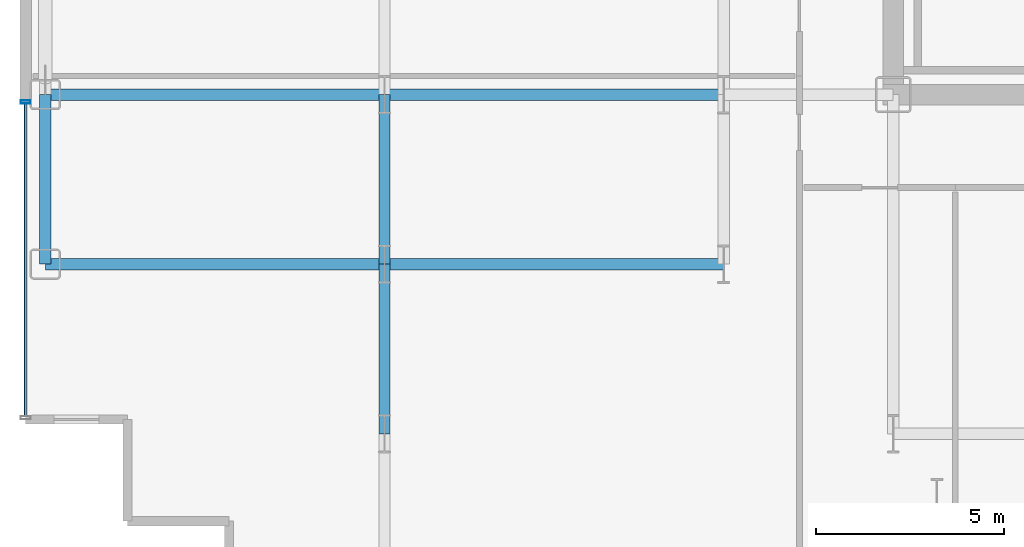
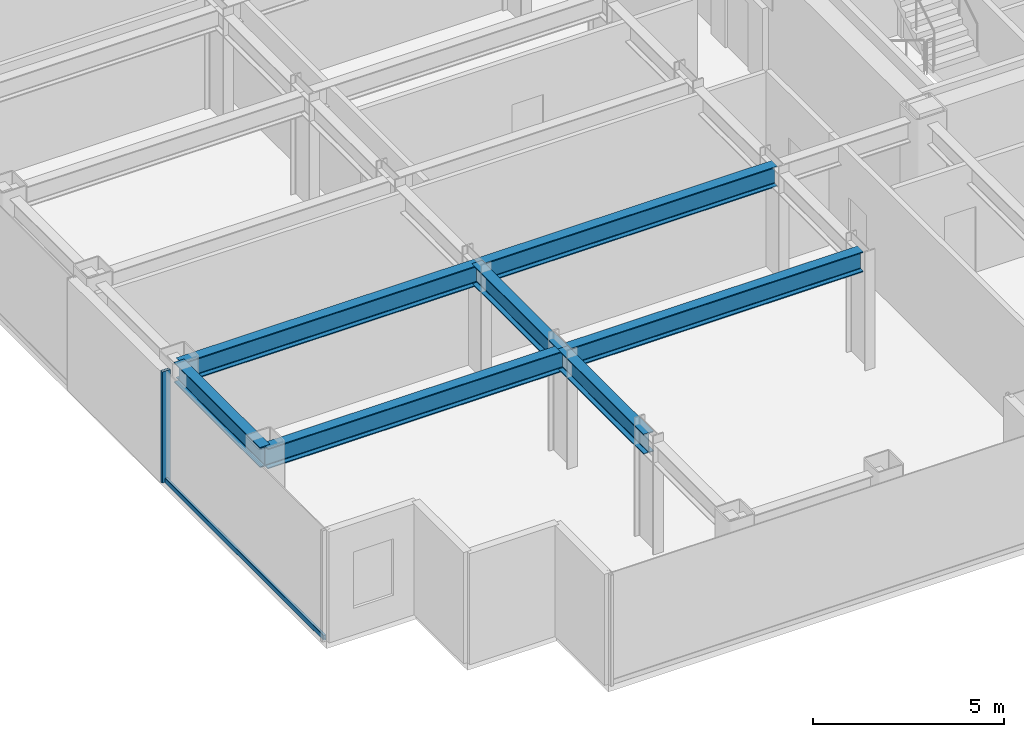
# One storey, part 3 of 29: 7 beams, 2 members, 1 element without a shape of its own.
"""IFC4 building model written with IfcOpenShell, lengths in metres."""

from ifc_helpers import new_model, si_unit, direction, frame, origin, origin_2d, place, context, subcontext, project, spatial, hollow_rectangle, i_section, extrude, source, transform, mapped, material, layer, layer_set, material_profile, profile_set, type_object, element, aggregate, save


model = new_model("IFC4")

# Units and contexts
model_context = context("Model", 3, precision=1e-05, world=origin(), true_north=direction((0.0, 1.0)))
body_context = subcontext(model_context, "Body", "Model", "MODEL_VIEW")
ifc_project = project(units=[si_unit("LENGTHUNIT", "METRE"), si_unit("AREAUNIT", "SQUARE_METRE"), si_unit("VOLUMEUNIT", "CUBIC_METRE"), si_unit("PLANEANGLEUNIT", "RADIAN"), si_unit("MASSUNIT", "GRAM", prefix="KILO")], contexts=[model_context])

# Site, building, storey
site_placement = place(None, origin())
site = spatial("IfcSite", under=ifc_project, at=site_placement, CompositionType="ELEMENT")
building_placement = place(site_placement, origin())
building = spatial("IfcBuilding", under=site, at=building_placement, Name="Nefas-Gora Pilgrimage Tower", CompositionType="ELEMENT")
storey_placement = place(building_placement, frame((0.0, 0.0, 113.60009765625)))
storey = spatial("IfcBuildingStorey", under=building, at=storey_placement, Name="L27", CompositionType="ELEMENT", Elevation=113.60009765625)

# Beams
ifc_material_1 = material(Name="Steel S355", Category="steel")
ifc_material_profile_1 = material_profile(ifc_material_1, i_section(OverallWidth=0.300048828125, OverallDepth=0.64990234375, WebThickness=0.01611328125, FlangeThickness=0.031005859375, FilletRadius=0.027099609375, at=origin_2d()), Name="HEB 650")
ifc_profile_set_1 = profile_set([ifc_material_profile_1], Name="Steel S355")
beam_type_1 = type_object("IfcBeamType", Name="BM-SPN-HEB500", PredefinedType="SPANDREL", material=ifc_profile_set_1)
shared_shape_1 = source(origin(), body_context, "Body", "SweptSolid", [
    extrude(i_section(OverallWidth=0.300048828125, OverallDepth=0.64990234375, WebThickness=0.01611328125, FlangeThickness=0.031005859375, FilletRadius=0.027099609375, at=origin_2d()), origin(), (0.0, 0.0, 1.0), 4.5),
])
beam_placement = place(storey_placement, frame((-33.75, -13.5, 3.224853515625), z_axis=(0.0, 1.0, 0.0), x_axis=(-1.0, 0.0, 0.0)))
element("IfcBeam", 1, at=beam_placement, inside=storey, type_object=beam_type_1, Name="L27 SP-02 beam", PredefinedType="SPANDREL", context=body_context, shape_type="MappedRepresentation", body=[
    mapped(shared_shape_1, transform((0.0, 0.0, 0.0), x_axis=(1.0, 0.0, 0.0), y_axis=(0.0, 1.0, 0.0), z_axis=(0.0, 0.0, 1.0), scale=1.0)),
])
ifc_material_profile_2 = material_profile(ifc_material_1, i_section(OverallWidth=0.300048828125, OverallDepth=0.64990234375, WebThickness=0.01611328125, FlangeThickness=0.031005859375, FilletRadius=0.027099609375, at=origin_2d()), Name="HEB 650")
ifc_profile_set_2 = profile_set([ifc_material_profile_2], Name="Steel S355")
beam_type_2 = type_object("IfcBeamType", Name="BM-GIR-HEB650", PredefinedType="BEAM", material=ifc_profile_set_2)
shared_shape_2 = source(origin(), body_context, "Body", "SweptSolid", [
    extrude(i_section(OverallWidth=0.300048828125, OverallDepth=0.64990234375, WebThickness=0.01611328125, FlangeThickness=0.031005859375, FilletRadius=0.027099609375, at=origin_2d()), origin(), (0.0, 0.0, 1.0), 9.0),
])
for number, where, z_axis, x_axis, name in (
    (2, (-33.75, -13.5, 3.224853515625), (1.0, 0.0, 0.0), (0.0, 1.0, 0.0), "L27 G-03 beam"),
    (3, (-33.75, -9.0, 3.224853515625), (1.0, 0.0, 0.0), (0.0, 1.0, 0.0), "L27 G-03 beam"),
    (4, (-24.75, -13.5, 3.224853515625), (1.0, 0.0, 0.0), (0.0, 1.0, 0.0), "L27 G-03 beam"),
    (5, (-24.75, -9.0, 3.224853515625), (1.0, 0.0, 0.0), (0.0, 1.0, 0.0), "L27 G-03 beam"),
):
    element("IfcBeam", number, at=place(storey_placement, frame(where, z_axis=z_axis, x_axis=x_axis)), inside=storey, type_object=beam_type_2, Name=name, PredefinedType="BEAM", context=body_context, shape_type="MappedRepresentation", body=[
        mapped(shared_shape_2, transform((0.0, 0.0, 0.0), x_axis=(1.0, 0.0, 0.0), y_axis=(0.0, 1.0, 0.0), z_axis=(0.0, 0.0, 1.0), scale=1.0)),
    ])
shared_shape_3 = source(origin(), body_context, "Body", "SweptSolid", [
    extrude(i_section(OverallWidth=0.300048828125, OverallDepth=0.64990234375, WebThickness=0.01611328125, FlangeThickness=0.031005859375, FilletRadius=0.027099609375, at=origin_2d()), origin(), (0.0, 0.0, 1.0), 4.5),
])
for number, where, z_axis, x_axis, name in (
    (6, (-24.75, -18.0, 3.224853515625), (0.0, 1.0, 0.0), (-1.0, 0.0, 0.0), "L27 G-03 beam"),
    (7, (-24.75, -13.5, 3.224853515625), (0.0, 1.0, 0.0), (-1.0, 0.0, 0.0), "L27 G-03 beam"),
):
    element("IfcBeam", number, at=place(storey_placement, frame(where, z_axis=z_axis, x_axis=x_axis)), inside=storey, type_object=beam_type_2, Name=name, PredefinedType="BEAM", context=body_context, shape_type="MappedRepresentation", body=[
        mapped(shared_shape_3, transform((0.0, 0.0, 0.0), x_axis=(1.0, 0.0, 0.0), y_axis=(0.0, 1.0, 0.0), z_axis=(0.0, 0.0, 1.0), scale=1.0)),
    ])

# Curtain wall, members
ifc_material_2 = material(Name="Dark ceramic-fritted solar-control aluminium-glass curtain wall", Category="aluminium")
ifc_layer = layer(ifc_material_2, 0.219970703125)
ifc_layer_set = layer_set([ifc_layer], Name="Dark ceramic-fritted solar-control aluminium-glass curtain wall")
curtain_wall_type = type_object("IfcCurtainWallType", Name="CW-SYS-2", PredefinedType="NOTDEFINED", material=ifc_layer_set)
curtain_wall_placement = place(storey_placement, origin())
curtain_wall = element("IfcCurtainWall", 8, at=curtain_wall_placement, inside=storey, type_object=curtain_wall_type, Name="L27 Unitised Curtain Wall CW2", PredefinedType="NOTDEFINED")
ifc_material_3 = material(Name="Anodised architectural aluminium", Category="aluminium")
ifc_material_profile_3 = material_profile(ifc_material_3, hollow_rectangle(XDim=0.080078125, YDim=0.159912109375, WallThickness=0.00439453125, InnerFilletRadius=0.00439453125, OuterFilletRadius=0.009033203125, at=origin_2d()), Name="ALU TRANSOM 80x160")
ifc_profile_set_3 = profile_set([ifc_material_profile_3], Name="Anodised architectural aluminium")
member_type_1 = type_object("IfcMemberType", Name="CWM-TRN-2", PredefinedType="USERDEFINED", material=ifc_profile_set_3)
shared_shape_4 = source(origin(), body_context, "Body", "SweptSolid", [
    extrude(hollow_rectangle(XDim=0.080078125, YDim=0.159912109375, WallThickness=0.00439453125, InnerFilletRadius=0.00439453125, OuterFilletRadius=0.009033203125, at=origin_2d()), origin(), (0.0, 0.0, 1.0), 8.2900390625),
])
member_1_placement = place(storey_placement, frame((-34.27001953125, -9.239990234375, 0.0498046875), z_axis=(0.0, -1.0, 0.0), x_axis=(1.0, 0.0, 0.0)))
member_1 = element("IfcMember", 9, at=member_1_placement, type_object=member_type_1, Name="CW2 Spandrel Transom", ObjectType="TRANSOM", PredefinedType="USERDEFINED", context=body_context, shape_type="MappedRepresentation", body=[
    mapped(shared_shape_4, transform((0.0, 0.0, 0.0), x_axis=(1.0, 0.0, 0.0), y_axis=(0.0, 1.0, 0.0), z_axis=(0.0, 0.0, 1.0), scale=1.0)),
])
ifc_material_profile_4 = material_profile(ifc_material_3, hollow_rectangle(XDim=0.090087890625, YDim=0.260009765625, WallThickness=0.006103515625, InnerFilletRadius=0.006103515625, OuterFilletRadius=0.011962890625, at=origin_2d()), Name="ALU MULLION 90x260")
ifc_profile_set_4 = profile_set([ifc_material_profile_4], Name="Anodised architectural aluminium")
member_type_2 = type_object("IfcMemberType", Name="CWM-MUL-2", PredefinedType="MULLION", material=ifc_profile_set_4)
shared_shape_5 = source(origin(), body_context, "Body", "SweptSolid", [
    extrude(hollow_rectangle(XDim=0.090087890625, YDim=0.260009765625, WallThickness=0.006103515625, InnerFilletRadius=0.006103515625, OuterFilletRadius=0.011962890625, at=origin_2d()), origin(), (0.0, 0.0, 1.0), 3.5498046875),
])
member_2_placement = place(storey_placement, frame((-34.27001953125, -9.195068359375, 0.0), z_axis=(0.0, 0.0, 1.0), x_axis=(0.0, -1.0, 0.0)))
member_2 = element("IfcMember", 10, at=member_2_placement, type_object=member_type_2, Name="CW2 Mullion 1", PredefinedType="MULLION", context=body_context, shape_type="MappedRepresentation", body=[
    mapped(shared_shape_5, transform((0.0, 0.0, 0.0), x_axis=(1.0, 0.0, 0.0), y_axis=(0.0, 1.0, 0.0), z_axis=(0.0, 0.0, 1.0), scale=1.0)),
])
aggregate(curtain_wall, [member_2, member_1])

save(model, "model.ifc")
